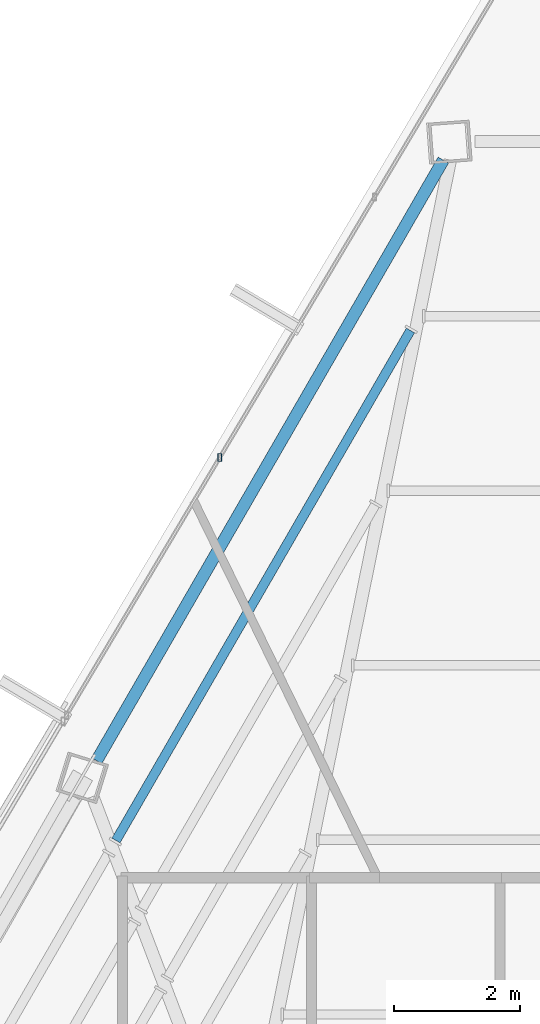
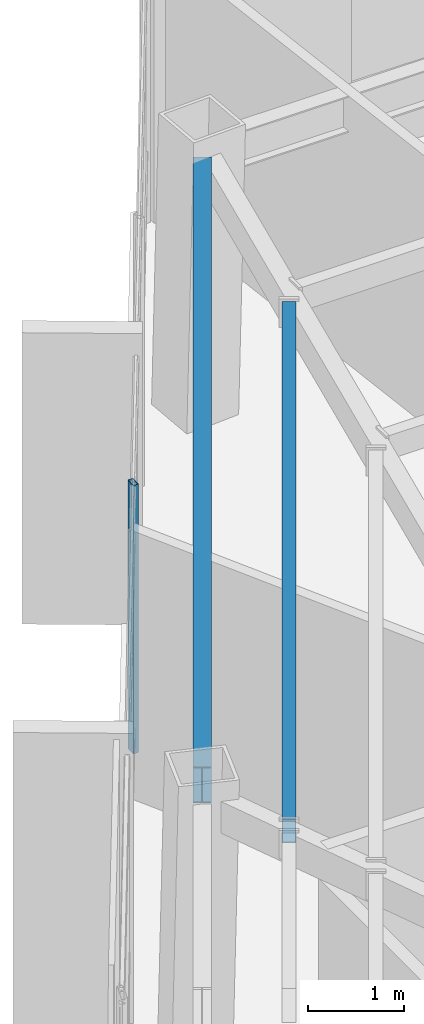
# One storey, part 29 of 45: 2 beams, 1 member, 1 element without a shape of its own.
"""IFC4 building model written with IfcOpenShell, lengths in metres."""

from ifc_helpers import new_model, si_unit, direction, frame, origin, origin_2d, place, context, subcontext, project, spatial, hollow_rectangle, i_section, extrude, source, transform, mapped, material, material_profile, profile_set, type_object, type_shapes, element, aggregate, save


model = new_model("IFC4")

# Units and contexts
model_context = context("Model", 3, precision=1e-05, world=origin(), true_north=direction((0.0, 1.0)))
body_context = subcontext(model_context, "Body", "Model", "MODEL_VIEW")
ifc_project = project(units=[si_unit("LENGTHUNIT", "METRE"), si_unit("AREAUNIT", "SQUARE_METRE"), si_unit("VOLUMEUNIT", "CUBIC_METRE"), si_unit("PLANEANGLEUNIT", "RADIAN"), si_unit("MASSUNIT", "GRAM", prefix="KILO")], contexts=[model_context])

# Site, building, storey
site_placement = place(None, origin())
site = spatial("IfcSite", under=ifc_project, at=site_placement, CompositionType="ELEMENT")
building_placement = place(site_placement, origin())
building = spatial("IfcBuilding", under=site, at=building_placement, Name="Caelisora Broadcast Tower", CompositionType="ELEMENT")
storey_placement = place(building_placement, frame((0.0, 0.0, 240.800048828125)))
storey = spatial("IfcBuildingStorey", under=building, at=storey_placement, Name="L63", CompositionType="ELEMENT", Elevation=240.800048828125)

# Beams
ifc_material_1 = material(Name="Steel Grade 350 (AS/NZS 3679.1)", Category="steel")
ifc_material_profile_1 = material_profile(ifc_material_1, i_section(OverallWidth=0.19091796875, OverallDepth=0.46044921875, WebThickness=0.010009765625, FlangeThickness=0.01611328125, at=origin_2d()), Name="Steel Grade 350 (AS/NZS 3679.1)")
ifc_profile_set_1 = profile_set([ifc_material_profile_1], Name="Steel Grade 350 (AS/NZS 3679.1)")
beam_type_1 = type_object("IfcBeamType", Name="PG06", PredefinedType="BEAM", material=ifc_profile_set_1)
shared_shape_1 = source(origin(), body_context, "Body", "SweptSolid", [
    extrude(i_section(OverallWidth=0.19091796875, OverallDepth=0.46044921875, WebThickness=0.010009765625, FlangeThickness=0.01611328125, at=origin_2d()), origin(), (0.0, 0.0, 1.0), 11.02587890625),
])
type_shapes(beam_type_1, [shared_shape_1])
beam_1_placement = place(storey_placement, frame((33.699462890625, 46.36083984375, 3.169677734375), z_axis=(-0.500004211896, -0.866022972032, 0.0), x_axis=(0.866022972032, -0.500004211896, 0.0)))
element("IfcBeam", 1, at=beam_1_placement, inside=storey, type_object=beam_type_1, Name="L63 beam PG06", PredefinedType="BEAM", context=body_context, shape_type="MappedRepresentation", body=[
    mapped(shared_shape_1, transform((0.0, 0.0, 0.0), scale=1.0)),
])
ifc_material_2 = material(Name="Steel Grade 350 (AS/NZS 1163 C350L0)", Category="steel")
ifc_material_profile_2 = material_profile(ifc_material_2, hollow_rectangle(XDim=0.14990234375, YDim=0.300048828125, WallThickness=0.010009765625, at=origin_2d()), Name="Steel Grade 350 (AS/NZS 1163 C350L0)")
ifc_profile_set_2 = profile_set([ifc_material_profile_2], Name="Steel Grade 350 (AS/NZS 1163 C350L0)")
beam_type_2 = type_object("IfcBeamType", Name="SB05", PredefinedType="JOIST", material=ifc_profile_set_2)
shared_shape_2 = source(origin(), body_context, "Body", "SweptSolid", [
    extrude(hollow_rectangle(XDim=0.14990234375, YDim=0.300048828125, WallThickness=0.010009765625, at=origin_2d()), origin(), (0.0, 0.0, 1.0), 9.365234375),
])
type_shapes(beam_type_2, [shared_shape_2])
beam_2_placement = place(storey_placement, frame((33.177001953125, 43.652587890625, 3.25), z_axis=(-0.499997002894, -0.866027134157, 0.0), x_axis=(0.866027134157, -0.499997002894, 0.0)))
element("IfcBeam", 2, at=beam_2_placement, inside=storey, type_object=beam_type_2, Name="L63 beam SB05", PredefinedType="JOIST", context=body_context, shape_type="MappedRepresentation", body=[
    mapped(shared_shape_2, transform((0.0, 0.0, 0.0), scale=1.0)),
])

# Curtain wall, member
ifc_material_3 = material(Name="Unitised Aluminium and Low-E Glass Curtain Wall", Category="glass")
curtain_wall_type = type_object("IfcCurtainWallType", Name="CW-Z5", PredefinedType="NOTDEFINED", material=ifc_material_3)
curtain_wall_placement = place(storey_placement, origin())
curtain_wall = element("IfcCurtainWall", 3, at=curtain_wall_placement, inside=storey, type_object=curtain_wall_type, Name="L63 curtain wall CW-Z5", PredefinedType="NOTDEFINED")
ifc_material_4 = material(Name="Aluminium 6063-T6 Anodised Terracotta Bronze", Category="aluminium")
ifc_material_profile_3 = material_profile(ifc_material_4, hollow_rectangle(XDim=0.06005859375, YDim=0.1201171875, WallThickness=0.0029296875, at=origin_2d()), Name="Aluminium 6063-T6 Anodised Terracotta Bronze")
ifc_profile_set_3 = profile_set([ifc_material_profile_3], Name="Aluminium 6063-T6 Anodised Terracotta Bronze")
member_type = type_object("IfcMemberType", Name="CWM-04", PredefinedType="MULLION", material=ifc_profile_set_3)
shared_shape_3 = source(origin(), body_context, "Body", "SweptSolid", [
    extrude(hollow_rectangle(XDim=0.06005859375, YDim=0.1201171875, WallThickness=0.0029296875, at=origin_2d()), origin(), (0.0, 0.0, 1.0), 3.39990234375),
])
type_shapes(member_type, [shared_shape_3])
member_placement = place(storey_placement, frame((30.144287109375, 41.632080078125, 0.0), z_axis=(0.0, 0.0, 1.0), x_axis=(1.0, 0.0, 0.0)))
member = element("IfcMember", 4, at=member_placement, type_object=member_type, Name="L63-CW-B11 mullion #1", PredefinedType="MULLION", context=body_context, shape_type="MappedRepresentation", body=[
    mapped(shared_shape_3, transform((0.0, 0.0, 0.0), scale=1.0)),
])
aggregate(curtain_wall, [member])

save(model, "model.ifc")
